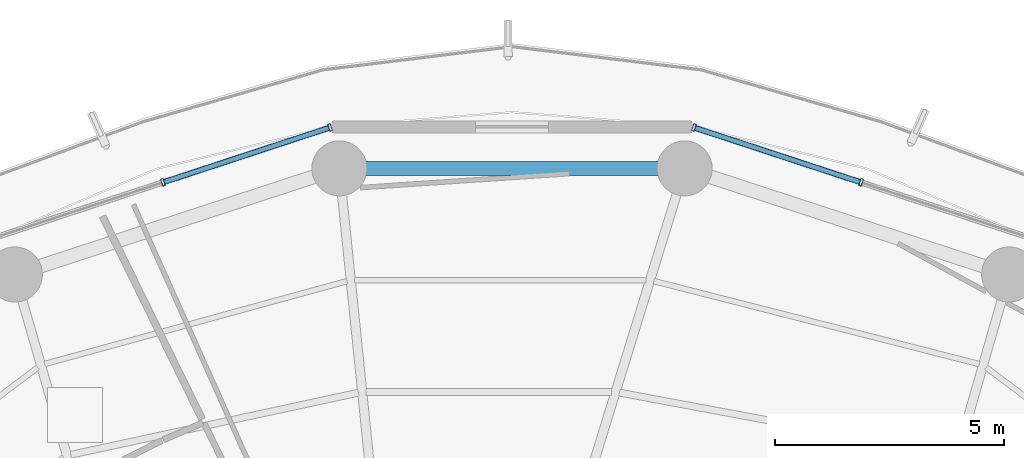
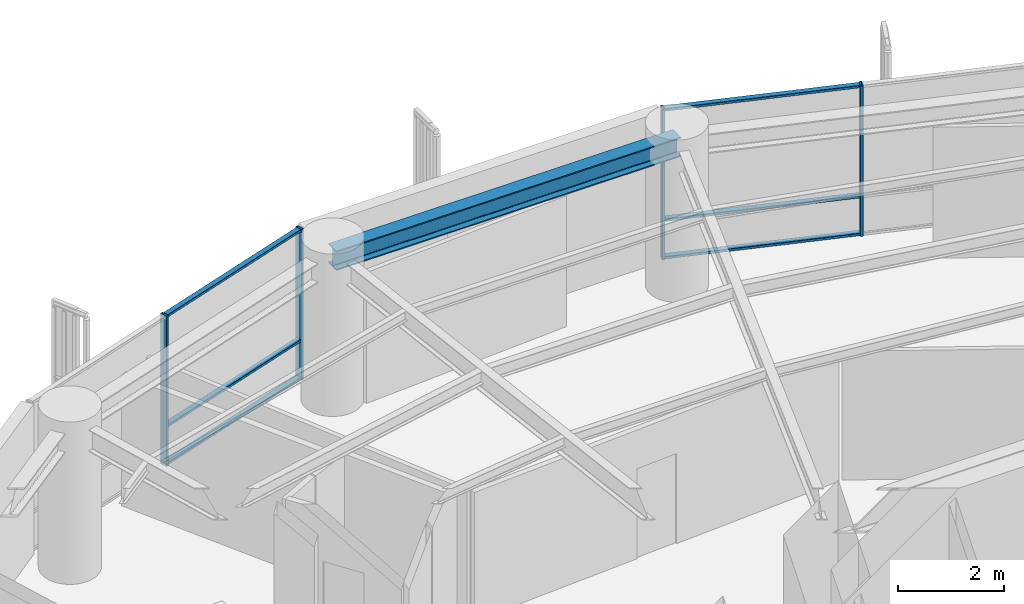
# One storey, part 18 of 28: 10 members, 1 beam, 2 elements without a shape of their own.
"""IFC4 building model written with IfcOpenShell, lengths in metres."""

from ifc_helpers import new_model, si_unit, direction, frame, origin, origin_2d, place, context, subcontext, project, spatial, hollow_rectangle, i_section, extrude, material, layer, layer_set, material_profile, profile_set, type_object, element, aggregate, save


model = new_model("IFC4")

# Units and contexts
model_context = context("Model", 3, precision=1e-05, world=origin(), true_north=direction((0.0, 1.0)))
body_context = subcontext(model_context, "Body", "Model", "MODEL_VIEW")
ifc_project = project(units=[si_unit("LENGTHUNIT", "METRE"), si_unit("AREAUNIT", "SQUARE_METRE"), si_unit("VOLUMEUNIT", "CUBIC_METRE"), si_unit("PLANEANGLEUNIT", "RADIAN"), si_unit("MASSUNIT", "GRAM", prefix="KILO")], contexts=[model_context])

# Site, building, storey
site_placement = place(None, origin())
site = spatial("IfcSite", under=ifc_project, at=site_placement, CompositionType="ELEMENT")
building_placement = place(site_placement, origin())
building = spatial("IfcBuilding", under=site, at=building_placement, Name="Kelanora Arch Commons", CompositionType="ELEMENT")
storey_placement = place(building_placement, frame((0.0, 0.0, 139.35009765625)))
storey = spatial("IfcBuildingStorey", under=building, at=storey_placement, Name="L35", CompositionType="ELEMENT", Elevation=139.35009765625)

# Beam
ifc_material_1 = material(Name="Steel S355", Category="steel")
ifc_material_profile_1 = material_profile(ifc_material_1, i_section(OverallWidth=0.300048828125, OverallDepth=0.449951171875, WebThickness=0.013916015625, FlangeThickness=0.02587890625, FilletRadius=0.027099609375, at=origin_2d()), Name="HEB450")
ifc_profile_set_1 = profile_set([ifc_material_profile_1], Name="Steel S355")
beam_type = type_object("IfcBeamType", Name="BM-SPN-Z3", PredefinedType="SPANDREL", material=ifc_profile_set_1)
beam_placement = place(storey_placement, frame((77.7646484375, 77.18408203125, 3.264892578125), z_axis=(-1.0, 0.0, 0.0), x_axis=(0.0, -1.0, 0.0)))
element("IfcBeam", 1, at=beam_placement, inside=storey, type_object=beam_type, Name="Perimeter Spandrel Beam BS-08 L35", PredefinedType="SPANDREL", context=body_context, shape_type="SweptSolid", body=[
    extrude(i_section(OverallWidth=0.300048828125, OverallDepth=0.449951171875, WebThickness=0.013916015625, FlangeThickness=0.02587890625, FilletRadius=0.027099609375, at=origin_2d()), origin(), (0.0, 0.0, 1.0), 7.529296875),
])

# Curtain wall, members
ifc_material_2 = material(Name="Terracotta ceramic-fritted low-E glass and aluminium", Category="masonry")
ifc_layer = layer(ifc_material_2, 0.175048828125)
ifc_layer_set = layer_set([ifc_layer], Name="Terracotta ceramic-fritted low-E glass and aluminium")
curtain_wall_type = type_object("IfcCurtainWallType", Name="CW-SYS-02", PredefinedType="NOTDEFINED", material=ifc_layer_set)
curtain_wall_1_placement = place(storey_placement, origin())
curtain_wall_1 = element("IfcCurtainWall", 2, at=curtain_wall_1_placement, inside=storey, type_object=curtain_wall_type, Name="Unitised Curtain Wall L35-B03", PredefinedType="NOTDEFINED")
ifc_material_3 = material(Name="Powder-coated aluminium terracotta", Category="masonry")
ifc_material_profile_2 = material_profile(ifc_material_3, hollow_rectangle(XDim=0.159912109375, YDim=0.06005859375, WallThickness=0.0048828125, InnerFilletRadius=0.0048828125, OuterFilletRadius=0.010009765625, at=origin_2d()), Name="CWM160x60")
ifc_profile_set_2 = profile_set([ifc_material_profile_2], Name="Powder-coated aluminium terracotta")
member_type_1 = type_object("IfcMemberType", Name="CWM-STD", PredefinedType="MULLION", material=ifc_profile_set_2)
member_1_placement = place(storey_placement, frame((81.6123046875, 76.87841796875, 0.0), z_axis=(0.0, 0.0, 1.0), x_axis=(-0.312128279571, -0.95003996605, 0.0)))
member_1 = element("IfcMember", 3, at=member_1_placement, type_object=member_type_1, Name="CW-02 mullion 2", PredefinedType="MULLION", context=body_context, shape_type="SweptSolid", body=[
    extrude(hollow_rectangle(XDim=0.159912109375, YDim=0.06005859375, WallThickness=0.0048828125, InnerFilletRadius=0.0048828125, OuterFilletRadius=0.010009765625, at=origin_2d()), origin(), (0.0, 0.0, 1.0), 3.474853515625),
])
member_2_placement = place(storey_placement, frame((77.96728515625, 78.075927734375, 0.0), z_axis=(0.0, 0.0, 1.0), x_axis=(-0.312128279571, -0.95003996605, 0.0)))
member_2 = element("IfcMember", 4, at=member_2_placement, type_object=member_type_1, Name="CW-02 mullion 3", PredefinedType="MULLION", context=body_context, shape_type="SweptSolid", body=[
    extrude(hollow_rectangle(XDim=0.159912109375, YDim=0.06005859375, WallThickness=0.0048828125, InnerFilletRadius=0.0048828125, OuterFilletRadius=0.010009765625, at=origin_2d()), origin(), (0.0, 0.0, 1.0), 3.474853515625),
])

curtain_wall_2_placement = place(storey_placement, origin())
curtain_wall_2 = element("IfcCurtainWall", 5, at=curtain_wall_2_placement, inside=storey, type_object=curtain_wall_type, Name="Unitised Curtain Wall L35-B05", PredefinedType="NOTDEFINED")
member_3_placement = place(storey_placement, frame((70.03271484375, 78.075927734375, 0.0), z_axis=(0.0, 0.0, 1.0), x_axis=(0.312128279571, -0.95003996605, 0.0)))
member_3 = element("IfcMember", 6, at=member_3_placement, type_object=member_type_1, Name="CW-02 mullion 1", PredefinedType="MULLION", context=body_context, shape_type="SweptSolid", body=[
    extrude(hollow_rectangle(XDim=0.159912109375, YDim=0.06005859375, WallThickness=0.0048828125, InnerFilletRadius=0.0048828125, OuterFilletRadius=0.010009765625, at=origin_2d()), origin(), (0.0, 0.0, 1.0), 3.474853515625),
])
member_4_placement = place(storey_placement, frame((66.3876953125, 76.87841796875, 0.0), z_axis=(0.0, 0.0, 1.0), x_axis=(0.312128279571, -0.95003996605, 0.0)))
member_4 = element("IfcMember", 7, at=member_4_placement, type_object=member_type_1, Name="CW-02 mullion 2", PredefinedType="MULLION", context=body_context, shape_type="SweptSolid", body=[
    extrude(hollow_rectangle(XDim=0.159912109375, YDim=0.06005859375, WallThickness=0.0048828125, InnerFilletRadius=0.0048828125, OuterFilletRadius=0.010009765625, at=origin_2d()), origin(), (0.0, 0.0, 1.0), 3.474853515625),
])

# Member
ifc_material_profile_3 = material_profile(ifc_material_3, hollow_rectangle(XDim=0.1201171875, YDim=0.06005859375, WallThickness=0.0048828125, InnerFilletRadius=0.0048828125, OuterFilletRadius=0.010009765625, at=origin_2d()), Name="CWT120x60")
ifc_profile_set_3 = profile_set([ifc_material_profile_3], Name="Powder-coated aluminium terracotta")
member_type_2 = type_object("IfcMemberType", Name="CWT-STD", PredefinedType="USERDEFINED", material=ifc_profile_set_3)
member_5_placement = place(storey_placement, frame((81.583740234375, 76.887939453125, 0.02978515625), z_axis=(-0.950051191155, 0.312094111104, 0.0), x_axis=(-0.312094111104, -0.950051191155, 0.0)))
member_5 = element("IfcMember", 8, at=member_5_placement, type_object=member_type_2, Name="CW-02 transom 2.1", ObjectType="TRANSOM", PredefinedType="USERDEFINED", context=body_context, shape_type="SweptSolid", body=[
    extrude(hollow_rectangle(XDim=0.1201171875, YDim=0.06005859375, WallThickness=0.0048828125, InnerFilletRadius=0.0048828125, OuterFilletRadius=0.010009765625, at=origin_2d()), origin(), (0.0, 0.0, 1.0), 3.77685546875),
])

member_6_placement = place(storey_placement, frame((81.583740234375, 76.887939453125, 0.89990234375), z_axis=(-0.950051191155, 0.312094111104, 0.0), x_axis=(-0.312094111104, -0.950051191155, 0.0)))
member_6 = element("IfcMember", 9, at=member_6_placement, type_object=member_type_2, Name="CW-02 transom 2.2", ObjectType="TRANSOM", PredefinedType="USERDEFINED", context=body_context, shape_type="SweptSolid", body=[
    extrude(hollow_rectangle(XDim=0.1201171875, YDim=0.06005859375, WallThickness=0.0048828125, InnerFilletRadius=0.0048828125, OuterFilletRadius=0.010009765625, at=origin_2d()), origin(), (0.0, 0.0, 1.0), 3.77685546875),
])

member_7_placement = place(storey_placement, frame((81.583740234375, 76.887939453125, 3.44482421875), z_axis=(-0.950051191155, 0.312094111104, 0.0), x_axis=(-0.312094111104, -0.950051191155, 0.0)))
member_7 = element("IfcMember", 10, at=member_7_placement, type_object=member_type_2, Name="CW-02 transom 2.3", ObjectType="TRANSOM", PredefinedType="USERDEFINED", context=body_context, shape_type="SweptSolid", body=[
    extrude(hollow_rectangle(XDim=0.1201171875, YDim=0.06005859375, WallThickness=0.0048828125, InnerFilletRadius=0.0048828125, OuterFilletRadius=0.010009765625, at=origin_2d()), origin(), (0.0, 0.0, 1.0), 3.77685546875),
])

aggregate(curtain_wall_1, [member_1, member_2, member_5, member_6, member_7])

member_8_placement = place(storey_placement, frame((70.00439453125, 78.066650390625, 0.02978515625), z_axis=(-0.950051191155, -0.312094111104, 0.0), x_axis=(0.312094111104, -0.950051191155, 0.0)))
member_8 = element("IfcMember", 11, at=member_8_placement, type_object=member_type_2, Name="CW-02 transom 1.1", ObjectType="TRANSOM", PredefinedType="USERDEFINED", context=body_context, shape_type="SweptSolid", body=[
    extrude(hollow_rectangle(XDim=0.1201171875, YDim=0.06005859375, WallThickness=0.0048828125, InnerFilletRadius=0.0048828125, OuterFilletRadius=0.010009765625, at=origin_2d()), origin(), (0.0, 0.0, 1.0), 3.77685546875),
])

member_9_placement = place(storey_placement, frame((70.00439453125, 78.066650390625, 0.89990234375), z_axis=(-0.950051191155, -0.312094111104, 0.0), x_axis=(0.312094111104, -0.950051191155, 0.0)))
member_9 = element("IfcMember", 12, at=member_9_placement, type_object=member_type_2, Name="CW-02 transom 1.2", ObjectType="TRANSOM", PredefinedType="USERDEFINED", context=body_context, shape_type="SweptSolid", body=[
    extrude(hollow_rectangle(XDim=0.1201171875, YDim=0.06005859375, WallThickness=0.0048828125, InnerFilletRadius=0.0048828125, OuterFilletRadius=0.010009765625, at=origin_2d()), origin(), (0.0, 0.0, 1.0), 3.77685546875),
])

member_10_placement = place(storey_placement, frame((70.00439453125, 78.066650390625, 3.44482421875), z_axis=(-0.950051191155, -0.312094111104, 0.0), x_axis=(0.312094111104, -0.950051191155, 0.0)))
member_10 = element("IfcMember", 13, at=member_10_placement, type_object=member_type_2, Name="CW-02 transom 1.3", ObjectType="TRANSOM", PredefinedType="USERDEFINED", context=body_context, shape_type="SweptSolid", body=[
    extrude(hollow_rectangle(XDim=0.1201171875, YDim=0.06005859375, WallThickness=0.0048828125, InnerFilletRadius=0.0048828125, OuterFilletRadius=0.010009765625, at=origin_2d()), origin(), (0.0, 0.0, 1.0), 3.77685546875),
])

aggregate(curtain_wall_2, [member_3, member_4, member_8, member_9, member_10])

save(model, "model.ifc")
